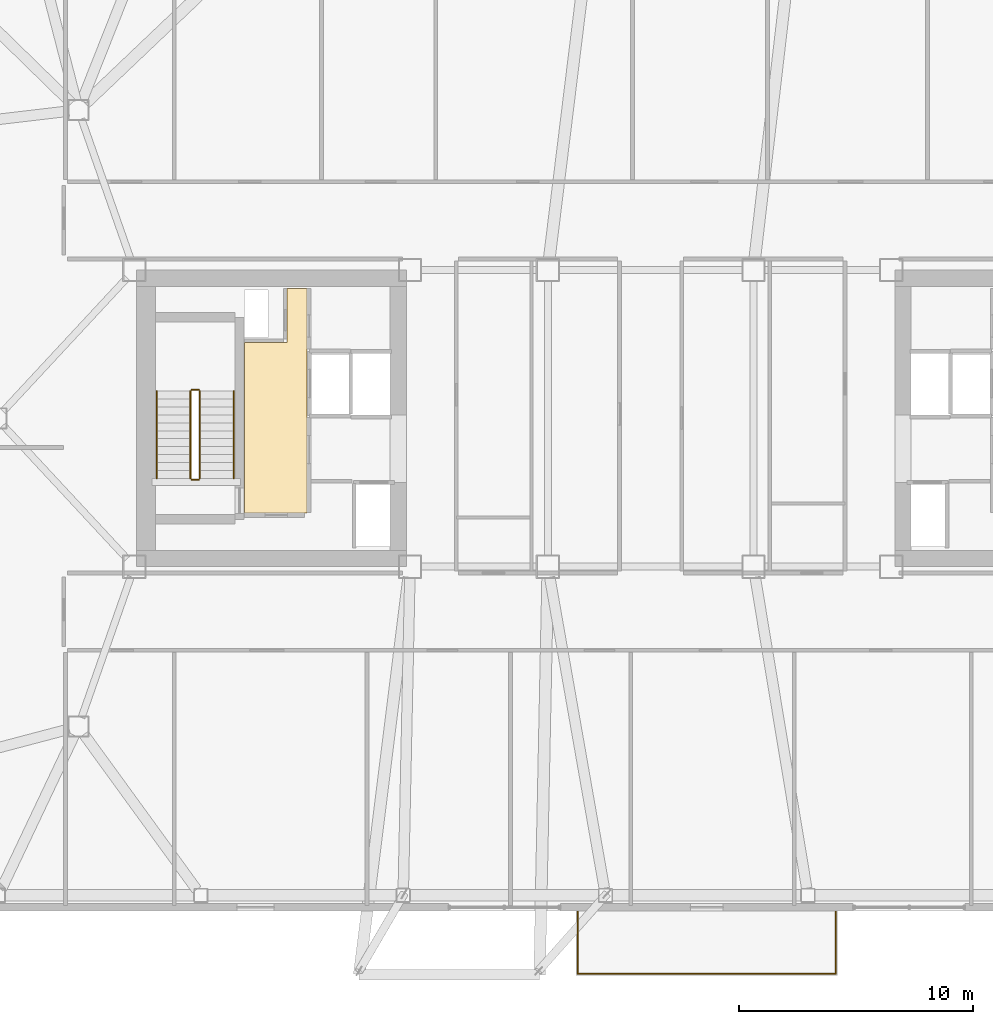
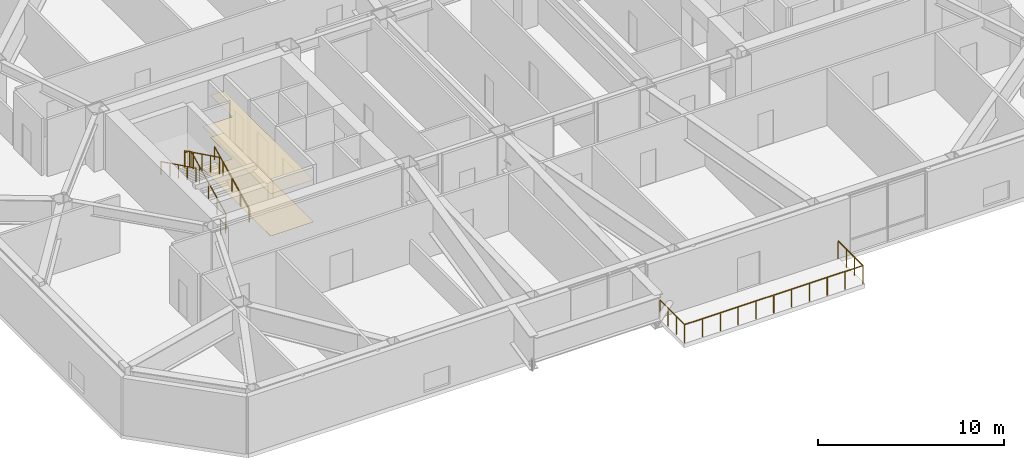
# One storey, part 17 of 18: 7 railings, 2 coverings.
"""IFC4 building model written with IfcOpenShell, lengths in metres."""

from ifc_helpers import new_model, si_unit, direction, frame, origin, origin_2d, place, context, subcontext, project, spatial, polyline, rectangle, outline, extrude, material, layer, layer_set, type_object, element, save


model = new_model("IFC4")

# Units and contexts
model_context = context("Model", 3, precision=1e-05, world=origin(), true_north=direction((0.0, 1.0)))
body_context = subcontext(model_context, "Body", "Model", "MODEL_VIEW")
ifc_project = project(units=[si_unit("LENGTHUNIT", "METRE"), si_unit("AREAUNIT", "SQUARE_METRE"), si_unit("VOLUMEUNIT", "CUBIC_METRE"), si_unit("PLANEANGLEUNIT", "RADIAN"), si_unit("MASSUNIT", "GRAM", prefix="KILO")], contexts=[model_context])

# Site, building, storey
site_placement = place(None, origin())
site = spatial("IfcSite", under=ifc_project, at=site_placement, CompositionType="ELEMENT")
building_placement = place(site_placement, origin())
building = spatial("IfcBuilding", under=site, at=building_placement, Name="Tavrogorsk Clinical Tower", CompositionType="ELEMENT")
storey_placement = place(building_placement, frame((0.0, 0.0, 152.199951171875)))
storey = spatial("IfcBuildingStorey", under=building, at=storey_placement, Name="L34", CompositionType="ELEMENT", Elevation=152.199951171875)

# Coverings
ifc_material_1 = material(Name="Antibacterial micro-perforated aluminium ceiling", Category="aluminium")
ifc_layer_1 = layer(ifc_material_1, 0.014892578125)
ifc_layer_set_1 = layer_set([ifc_layer_1], Name="Antibacterial micro-perforated aluminium ceiling")
covering_type_1 = type_object("IfcCoveringType", Name="ClinicalCeiling_15", PredefinedType="CEILING", material=ifc_layer_set_1)
covering_1_placement = place(storey_placement, frame((0.0, 0.0, 2.75)))
element("IfcCovering", 1, at=covering_1_placement, inside=storey, type_object=covering_type_1, Name="Core West Firefighting Lift Lobby Acoustic Ceiling", PredefinedType="CEILING", context=body_context, shape_type="SweptSolid", body=[
    extrude(outline(polyline([(-14.719970703125, 5.56005859375), (-14.719970703125, -4.06005859375), (-17.3798828125, -4.06005859375), (-17.3798828125, 3.239990234375), (-15.56005859375, 3.239990234375), (-15.56005859375, 5.56005859375), (-14.719970703125, 5.56005859375)])), origin(), (0.0, 0.0, 1.0), 0.01513671875),
])
ifc_material_2 = material(Name="Homogeneous medical conductive PVC flooring")
ifc_layer_2 = layer(ifc_material_2, 0.008056640625)
ifc_layer_set_2 = layer_set([ifc_layer_2], Name="Homogeneous medical conductive PVC flooring")
covering_type_2 = type_object("IfcCoveringType", Name="ResilientVinylFloor_8", PredefinedType="FLOORING", material=ifc_layer_set_2)
covering_2_placement = place(storey_placement, origin())
element("IfcCovering", 2, at=covering_2_placement, inside=storey, type_object=covering_type_2, Name="Core West Firefighting Lift Lobby Conductive Vinyl Flooring", PredefinedType="FLOORING", context=body_context, shape_type="SweptSolid", body=[
    extrude(outline(polyline([(-14.719970703125, 5.56005859375), (-14.719970703125, -4.06005859375), (-17.3798828125, -4.06005859375), (-17.3798828125, 3.239990234375), (-15.56005859375, 3.239990234375), (-15.56005859375, 5.56005859375), (-14.719970703125, 5.56005859375)])), origin(), (0.0, 0.0, 1.0), 0.008056640625),
])

# Railings
ifc_material_3 = material(Name="Galvanised steel S355 safety stairwell guard", Category="steel")
ifc_layer_3 = layer(ifc_material_3, 0.06005859375)
ifc_layer_set_3 = layer_set([ifc_layer_3], Name="Galvanised steel S355 safety stairwell guard")
railing_type_1 = type_object("IfcRailingType", Name="StairGuard_1150", PredefinedType="GUARDRAIL", material=ifc_layer_set_3)
railing_1_placement = place(storey_placement, frame((-19.300048828125, -2.574951171875, 0.166748046875)))
element("IfcRailing", 3, at=railing_1_placement, inside=storey, type_object=railing_type_1, Name="L34 ST-W stair guard 1", PredefinedType="GUARDRAIL", context=body_context, shape_type="SweptSolid", body=[
    extrude(rectangle(XDim=0.048095703125, YDim=0.048095703125, at=origin_2d()), frame((0.0, 0.0, 1.076171875), z_axis=(0.0, 0.897927990467, 0.440142390523), x_axis=(-1.0, 0.0, 0.0)), (0.0, 0.0, 1.0), 4.1650390625),
    extrude(rectangle(XDim=0.0419921875, YDim=0.0419921875, at=origin_2d()), origin(), (0.0, 0.0, 1.0), 1.052001953125),
    extrude(rectangle(XDim=0.0419921875, YDim=0.0419921875, at=origin_2d()), frame((0.0, 0.93505859375, 0.458251953125)), (0.0, 0.0, 1.0), 1.052001953125),
    extrude(rectangle(XDim=0.0419921875, YDim=0.0419921875, at=origin_2d()), frame((0.0, 1.8701171875, 0.91650390625)), (0.0, 0.0, 1.0), 1.052001953125),
    extrude(rectangle(XDim=0.0419921875, YDim=0.0419921875, at=origin_2d()), frame((0.0, 2.804931640625, 1.375)), (0.0, 0.0, 1.0), 1.052001953125),
    extrude(rectangle(XDim=0.0419921875, YDim=0.0419921875, at=origin_2d()), frame((0.0, 3.739990234375, 1.833251953125)), (0.0, 0.0, 1.0), 1.052001953125),
])
railing_2_placement = place(storey_placement, frame((-19.35009765625, 1.215087890625, 2.0)))
element("IfcRailing", 4, at=railing_2_placement, inside=storey, type_object=railing_type_1, Name="L34 ST-W stair guard 2", PredefinedType="GUARDRAIL", context=body_context, shape_type="SweptSolid", body=[
    extrude(rectangle(XDim=0.048095703125, YDim=0.048095703125, at=origin_2d()), frame((0.0, 0.0, 1.076171875), z_axis=(-1.0, 0.0, 0.0), x_axis=(0.0, -1.0, 0.0)), (0.0, 0.0, 1.0), 0.2998046875),
    extrude(rectangle(XDim=0.0419921875, YDim=0.0419921875, at=origin_2d()), origin(), (0.0, 0.0, 1.0), 1.052001953125),
    extrude(rectangle(XDim=0.0419921875, YDim=0.0419921875, at=origin_2d()), frame((-0.2998046875, 0.0, 0.0)), (0.0, 0.0, 1.0), 1.052001953125),
])
railing_3_placement = place(storey_placement, frame((-19.699951171875, 1.1650390625, 2.166748046875)))
element("IfcRailing", 5, at=railing_3_placement, inside=storey, type_object=railing_type_1, Name="L34 ST-W stair guard 3", PredefinedType="GUARDRAIL", context=body_context, shape_type="SweptSolid", body=[
    extrude(rectangle(XDim=0.048095703125, YDim=0.048095703125, at=origin_2d()), frame((0.0, 0.0, 1.076171875), z_axis=(0.0, -0.897927990467, 0.440142390523), x_axis=(1.0, 0.0, 0.0)), (0.0, 0.0, 1.0), 4.1650390625),
    extrude(rectangle(XDim=0.0419921875, YDim=0.0419921875, at=origin_2d()), origin(), (0.0, 0.0, 1.0), 1.052001953125),
    extrude(rectangle(XDim=0.0419921875, YDim=0.0419921875, at=origin_2d()), frame((0.0, -0.93505859375, 0.458251953125)), (0.0, 0.0, 1.0), 1.052001953125),
    extrude(rectangle(XDim=0.0419921875, YDim=0.0419921875, at=origin_2d()), frame((0.0, -1.8701171875, 0.91650390625)), (0.0, 0.0, 1.0), 1.052001953125),
    extrude(rectangle(XDim=0.0419921875, YDim=0.0419921875, at=origin_2d()), frame((0.0, -2.804931640625, 1.375)), (0.0, 0.0, 1.0), 1.052001953125),
    extrude(rectangle(XDim=0.0419921875, YDim=0.0419921875, at=origin_2d()), frame((0.0, -3.739990234375, 1.833251953125)), (0.0, 0.0, 1.0), 1.052001953125),
])
railing_4_placement = place(storey_placement, frame((-19.35009765625, -2.625, 0.0)))
element("IfcRailing", 6, at=railing_4_placement, inside=storey, type_object=railing_type_1, Name="L34 ST-W stair guard 4", PredefinedType="GUARDRAIL", context=body_context, shape_type="SweptSolid", body=[
    extrude(rectangle(XDim=0.048095703125, YDim=0.048095703125, at=origin_2d()), frame((0.0, 0.0, 1.076171875), z_axis=(-1.0, 0.0, 0.0), x_axis=(0.0, -1.0, 0.0)), (0.0, 0.0, 1.0), 0.2998046875),
    extrude(rectangle(XDim=0.0419921875, YDim=0.0419921875, at=origin_2d()), origin(), (0.0, 0.0, 1.0), 1.052001953125),
    extrude(rectangle(XDim=0.0419921875, YDim=0.0419921875, at=origin_2d()), frame((-0.2998046875, 0.0, 0.0)), (0.0, 0.0, 1.0), 1.052001953125),
])
ifc_material_4 = material(Name="Stainless steel AISI 304 tubular handrail", Category="steel")
ifc_layer_4 = layer(ifc_material_4, 0.050048828125)
ifc_layer_set_4 = layer_set([ifc_layer_4], Name="Stainless steel AISI 304 tubular handrail")
railing_type_2 = type_object("IfcRailingType", Name="StairHandrail_920", PredefinedType="HANDRAIL", material=ifc_layer_set_4)
railing_5_placement = place(storey_placement, frame((-17.85009765625, -2.574951171875, 0.166748046875)))
element("IfcRailing", 7, at=railing_5_placement, inside=storey, type_object=railing_type_2, Name="L34 ST-W stair handrail 1", PredefinedType="HANDRAIL", context=body_context, shape_type="SweptSolid", body=[
    extrude(rectangle(XDim=0.048095703125, YDim=0.048095703125, at=origin_2d()), frame((0.0, 0.0, 0.8759765625), z_axis=(0.0, 0.897927990467, 0.440142390523), x_axis=(-1.0, 0.0, 0.0)), (0.0, 0.0, 1.0), 4.1650390625),
    extrude(rectangle(XDim=0.0419921875, YDim=0.0419921875, at=origin_2d()), origin(), (0.0, 0.0, 1.0), 0.851806640625),
    extrude(rectangle(XDim=0.0419921875, YDim=0.0419921875, at=origin_2d()), frame((0.0, 0.93505859375, 0.458251953125)), (0.0, 0.0, 1.0), 0.851806640625),
    extrude(rectangle(XDim=0.0419921875, YDim=0.0419921875, at=origin_2d()), frame((0.0, 1.8701171875, 0.91650390625)), (0.0, 0.0, 1.0), 0.851806640625),
    extrude(rectangle(XDim=0.0419921875, YDim=0.0419921875, at=origin_2d()), frame((0.0, 2.804931640625, 1.375)), (0.0, 0.0, 1.0), 0.851806640625),
    extrude(rectangle(XDim=0.0419921875, YDim=0.0419921875, at=origin_2d()), frame((0.0, 3.739990234375, 1.833251953125)), (0.0, 0.0, 1.0), 0.851806640625),
])
railing_6_placement = place(storey_placement, frame((-21.14990234375, 1.1650390625, 2.166748046875)))
element("IfcRailing", 8, at=railing_6_placement, inside=storey, type_object=railing_type_2, Name="L34 ST-W stair handrail 2", PredefinedType="HANDRAIL", context=body_context, shape_type="SweptSolid", body=[
    extrude(rectangle(XDim=0.048095703125, YDim=0.048095703125, at=origin_2d()), frame((0.0, 0.0, 0.8759765625), z_axis=(0.0, -0.897927990467, 0.440142390523), x_axis=(1.0, 0.0, 0.0)), (0.0, 0.0, 1.0), 4.1650390625),
    extrude(rectangle(XDim=0.0419921875, YDim=0.0419921875, at=origin_2d()), origin(), (0.0, 0.0, 1.0), 0.851806640625),
    extrude(rectangle(XDim=0.0419921875, YDim=0.0419921875, at=origin_2d()), frame((0.0, -0.93505859375, 0.458251953125)), (0.0, 0.0, 1.0), 0.851806640625),
    extrude(rectangle(XDim=0.0419921875, YDim=0.0419921875, at=origin_2d()), frame((0.0, -1.8701171875, 0.91650390625)), (0.0, 0.0, 1.0), 0.851806640625),
    extrude(rectangle(XDim=0.0419921875, YDim=0.0419921875, at=origin_2d()), frame((0.0, -2.804931640625, 1.375)), (0.0, 0.0, 1.0), 0.851806640625),
    extrude(rectangle(XDim=0.0419921875, YDim=0.0419921875, at=origin_2d()), frame((0.0, -3.739990234375, 1.833251953125)), (0.0, 0.0, 1.0), 0.851806640625),
])
ifc_material_5 = material(Name="Stainless steel AISI 316 and laminated glass balustrade", Category="steel")
ifc_layer_5 = layer(ifc_material_5, 0.090087890625)
ifc_layer_set_5 = layer_set([ifc_layer_5], Name="Stainless steel AISI 316 and laminated glass balustrade")
railing_type_3 = type_object("IfcRailingType", Name="TerraceGuardRailing_1200", PredefinedType="BALUSTRADE", material=ifc_layer_set_5)
railing_7_placement = place(storey_placement, frame((-3.1201171875, -21.1201171875, 0.0)))
element("IfcRailing", 9, at=railing_7_placement, inside=storey, type_object=railing_type_3, Name="L34 Spiralling Terrace Balustrade GD-01", PredefinedType="BALUSTRADE", context=body_context, shape_type="SweptSolid", body=[
    extrude(rectangle(XDim=0.048095703125, YDim=0.048095703125, at=origin_2d()), frame((0.0, 0.0, 1.17578125), z_axis=(0.0, -1.0, 0.0), x_axis=(1.0, 0.0, 0.0)), (0.0, 0.0, 1.0), 2.64990234375),
    extrude(rectangle(XDim=0.048095703125, YDim=0.048095703125, at=origin_2d()), frame((0.0, -2.64990234375, 1.17578125), z_axis=(1.0, 0.0, 0.0), x_axis=(0.0, 1.0, 0.0)), (0.0, 0.0, 1.0), 11.0400390625),
    extrude(rectangle(XDim=0.048095703125, YDim=0.048095703125, at=origin_2d()), frame((11.0400390625, -2.64990234375, 1.17578125), z_axis=(0.0, 1.0, 0.0), x_axis=(-1.0, 0.0, 0.0)), (0.0, 0.0, 1.0), 2.64990234375),
    extrude(rectangle(XDim=0.0419921875, YDim=0.0419921875, at=origin_2d()), origin(), (0.0, 0.0, 1.0), 1.15185546875),
    extrude(rectangle(XDim=0.0419921875, YDim=0.0419921875, at=origin_2d()), frame((0.0, -0.88330078125, 0.0)), (0.0, 0.0, 1.0), 1.15185546875),
    extrude(rectangle(XDim=0.0419921875, YDim=0.0419921875, at=origin_2d()), frame((0.0, -1.7666015625, 0.0)), (0.0, 0.0, 1.0), 1.15185546875),
    extrude(rectangle(XDim=0.0419921875, YDim=0.0419921875, at=origin_2d()), frame((0.0, -2.64990234375, 0.0)), (0.0, 0.0, 1.0), 1.15185546875),
    extrude(rectangle(XDim=0.0419921875, YDim=0.0419921875, at=origin_2d()), frame((1.10400390625, -2.64990234375, 0.0)), (0.0, 0.0, 1.0), 1.15185546875),
    extrude(rectangle(XDim=0.0419921875, YDim=0.0419921875, at=origin_2d()), frame((2.2080078125, -2.64990234375, 0.0)), (0.0, 0.0, 1.0), 1.15185546875),
    extrude(rectangle(XDim=0.0419921875, YDim=0.0419921875, at=origin_2d()), frame((3.31201171875, -2.64990234375, 0.0)), (0.0, 0.0, 1.0), 1.15185546875),
    extrude(rectangle(XDim=0.0419921875, YDim=0.0419921875, at=origin_2d()), frame((4.416015625, -2.64990234375, 0.0)), (0.0, 0.0, 1.0), 1.15185546875),
    extrude(rectangle(XDim=0.0419921875, YDim=0.0419921875, at=origin_2d()), frame((5.52001953125, -2.64990234375, 0.0)), (0.0, 0.0, 1.0), 1.15185546875),
    extrude(rectangle(XDim=0.0419921875, YDim=0.0419921875, at=origin_2d()), frame((6.6240234375, -2.64990234375, 0.0)), (0.0, 0.0, 1.0), 1.15185546875),
    extrude(rectangle(XDim=0.0419921875, YDim=0.0419921875, at=origin_2d()), frame((7.72802734375, -2.64990234375, 0.0)), (0.0, 0.0, 1.0), 1.15185546875),
    extrude(rectangle(XDim=0.0419921875, YDim=0.0419921875, at=origin_2d()), frame((8.83203125, -2.64990234375, 0.0)), (0.0, 0.0, 1.0), 1.15185546875),
    extrude(rectangle(XDim=0.0419921875, YDim=0.0419921875, at=origin_2d()), frame((9.93603515625, -2.64990234375, 0.0)), (0.0, 0.0, 1.0), 1.15185546875),
    extrude(rectangle(XDim=0.0419921875, YDim=0.0419921875, at=origin_2d()), frame((11.0400390625, -2.64990234375, 0.0)), (0.0, 0.0, 1.0), 1.15185546875),
    extrude(rectangle(XDim=0.0419921875, YDim=0.0419921875, at=origin_2d()), frame((11.0400390625, -1.7666015625, 0.0)), (0.0, 0.0, 1.0), 1.15185546875),
    extrude(rectangle(XDim=0.0419921875, YDim=0.0419921875, at=origin_2d()), frame((11.0400390625, -0.88330078125, 0.0)), (0.0, 0.0, 1.0), 1.15185546875),
    extrude(rectangle(XDim=0.0419921875, YDim=0.0419921875, at=origin_2d()), frame((11.0400390625, 0.0, 0.0)), (0.0, 0.0, 1.0), 1.15185546875),
])

save(model, "model.ifc")
